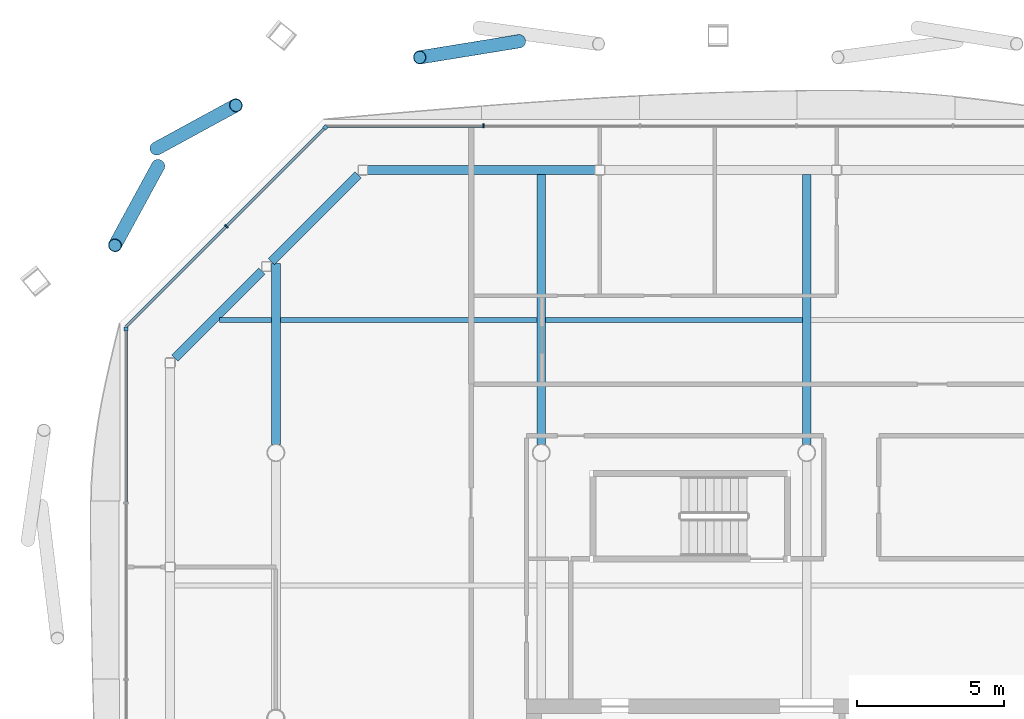
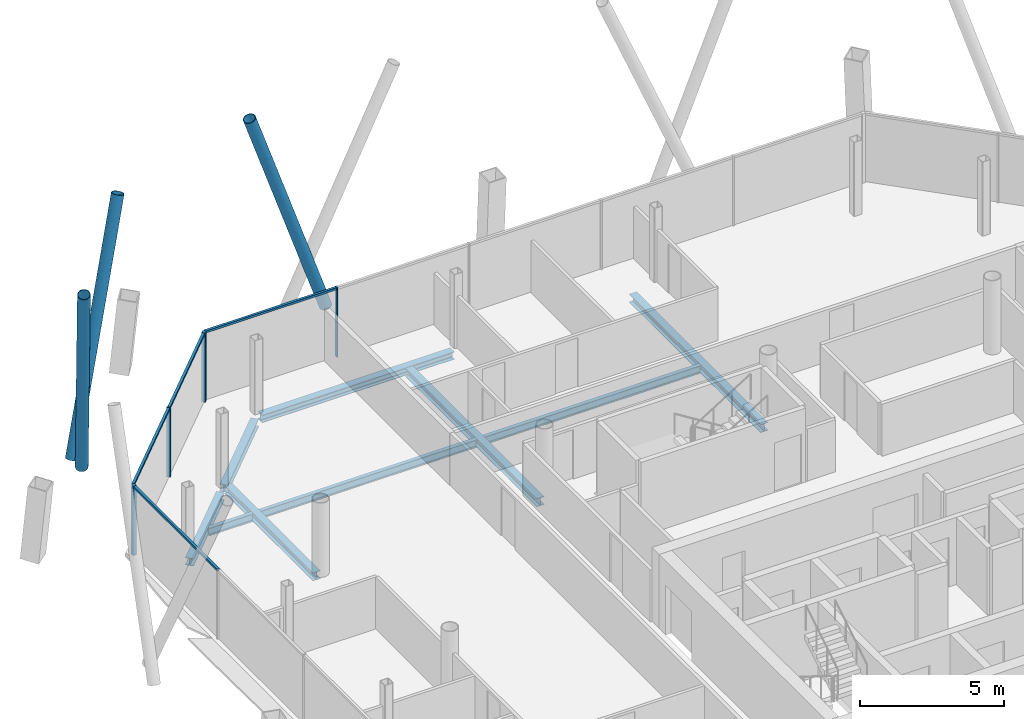
# One storey, part 9 of 19: 11 members, 9 beams, 3 elements without a shape of their own.
"""IFC4 building model written with IfcOpenShell, lengths in metres."""

from ifc_helpers import new_model, si_unit, direction, frame, origin, origin_2d, place, context, subcontext, project, spatial, rectangle, hollow_circle, i_section, extrude, material, material_profile, profile_set, type_object, element, aggregate, save


model = new_model("IFC4")

# Units and contexts
model_context = context("Model", 3, precision=1e-05, world=origin(), true_north=direction((0.0, 1.0)))
body_context = subcontext(model_context, "Body", "Model", "MODEL_VIEW")
ifc_project = project(units=[si_unit("LENGTHUNIT", "METRE"), si_unit("AREAUNIT", "SQUARE_METRE"), si_unit("VOLUMEUNIT", "CUBIC_METRE"), si_unit("PLANEANGLEUNIT", "RADIAN"), si_unit("MASSUNIT", "GRAM", prefix="KILO")], contexts=[model_context])

# Site, building, storey
site_placement = place(None, origin())
site = spatial("IfcSite", under=ifc_project, at=site_placement, CompositionType="ELEMENT")
building_placement = place(site_placement, origin())
building = spatial("IfcBuilding", under=site, at=building_placement, Name="Tskaro Facet Tower", CompositionType="ELEMENT")
storey_placement = place(building_placement, frame((0.0, 0.0, 191.10009765625)))
storey = spatial("IfcBuildingStorey", under=building, at=storey_placement, Name="L48", CompositionType="ELEMENT", Elevation=191.10009765625)

# Members
ifc_material_1 = material(Name="Steel S355J2H", Category="steel")
ifc_material_profile_1 = material_profile(ifc_material_1, hollow_circle(Radius=0.228515625, WallThickness=0.02001953125, at=origin_2d()), Name="CHS 457x20")
ifc_profile_set_1 = profile_set([ifc_material_profile_1], Name="Steel S355J2H")
member_type_1 = type_object("IfcMemberType", Name="CHS 457x20 brace", PredefinedType="BRACE", material=ifc_profile_set_1)
member_1_placement = place(storey_placement, frame((-9.74853515625, 22.951904296875, 0.0), z_axis=(-0.33577356224, -0.054492446285, 0.940365188743), x_axis=(0.160193408806, -0.987085645613, 0.0)))
element("IfcMember", 1, at=member_1_placement, inside=storey, type_object=member_type_1, Name="CHS 457x20 XB08A/4", PredefinedType="BRACE", context=body_context, shape_type="SweptSolid", body=[
    extrude(hollow_circle(Radius=0.228515625, WallThickness=0.02001953125, at=origin_2d()), origin(), (0.0, 0.0, 1.0), 10.04931640625),
])
for number, where, z_axis, x_axis, name in (
    (2, (-21.989013671875, 18.724853515625, 0.0), (-0.147656195683, -0.271206761816, 0.951128035662), (0.878269358294, -0.478166220349, 0.0), "CHS 457x20 XB09A/4"),
    (3, (-22.048095703125, 19.31201171875, 0.0), (0.27122854255, 0.147679248118, 0.951118245741), (-0.478194179613, 0.878254135535, 0.0), "CHS 457x20 XB09B/4"),
):
    element("IfcMember", number, at=place(storey_placement, frame(where, z_axis=z_axis, x_axis=x_axis)), inside=storey, type_object=member_type_1, Name=name, PredefinedType="BRACE", context=body_context, shape_type="SweptSolid", body=[
        extrude(hollow_circle(Radius=0.228515625, WallThickness=0.02001953125, at=origin_2d()), origin(), (0.0, 0.0, 1.0), 9.935546875),
    ])

# Curtain wall, member
ifc_material_2 = material(Name="Bronze anodised aluminium 6063-T6", Category="aluminium")
curtain_wall_type = type_object("IfcCurtainWallType", Name="Bronze residence curtain wall (FW3)", PredefinedType="NOTDEFINED", material=ifc_material_2)
curtain_wall_1_placement = place(storey_placement, origin())
curtain_wall_1 = element("IfcCurtainWall", 4, at=curtain_wall_1_placement, inside=storey, type_object=curtain_wall_type, Name="FW3 north-west facet L48", PredefinedType="NOTDEFINED")
ifc_material_profile_2 = material_profile(ifc_material_2, rectangle(XDim=0.139892578125, YDim=0.139892578125, at=origin_2d()), Name="Corner post 140x140")
ifc_profile_set_2 = profile_set([ifc_material_profile_2], Name="Bronze anodised aluminium 6063-T6")
member_type_2 = type_object("IfcMemberType", Name="FW3 bronze corner post 140x140", PredefinedType="MULLION", material=ifc_profile_set_2)
member_2_placement = place(storey_placement, frame((-16.319580078125, 20.030517578125, 0.0), z_axis=(0.0, 0.0, 1.0), x_axis=(-0.707106781187, -0.707106781187, 0.0)))
member_2 = element("IfcMember", 5, at=member_2_placement, type_object=member_type_2, Name="FW3 north-west corner post", PredefinedType="MULLION", context=body_context, shape_type="SweptSolid", body=[
    extrude(rectangle(XDim=0.139892578125, YDim=0.139892578125, at=origin_2d()), origin(), (0.0, 0.0, 1.0), 2.949951171875),
])

curtain_wall_2_placement = place(storey_placement, origin())
curtain_wall_2 = element("IfcCurtainWall", 6, at=curtain_wall_2_placement, inside=storey, type_object=curtain_wall_type, Name="FW3 west facet L48", PredefinedType="NOTDEFINED")
member_3_placement = place(storey_placement, frame((-23.080078125, 13.199951171875, 0.0), z_axis=(0.0, 0.0, 1.0), x_axis=(0.0, -1.0, 0.0)))
member_3 = element("IfcMember", 7, at=member_3_placement, type_object=member_type_2, Name="FW3 west corner post", PredefinedType="MULLION", context=body_context, shape_type="SweptSolid", body=[
    extrude(rectangle(XDim=0.139892578125, YDim=0.139892578125, at=origin_2d()), origin(), (0.0, 0.0, 1.0), 2.949951171875),
])

curtain_wall_3_placement = place(storey_placement, origin())
curtain_wall_3 = element("IfcCurtainWall", 8, at=curtain_wall_3_placement, inside=storey, type_object=curtain_wall_type, Name="FW3 north facet L48", PredefinedType="NOTDEFINED")
ifc_material_profile_3 = material_profile(ifc_material_2, rectangle(XDim=0.050048828125, YDim=0.139892578125, at=origin_2d()), Name="Mullion 50x140")
ifc_profile_set_3 = profile_set([ifc_material_profile_3], Name="Bronze anodised aluminium 6063-T6")
member_type_3 = type_object("IfcMemberType", Name="FW3 bronze mullion 50x140", PredefinedType="MULLION", material=ifc_profile_set_3)
member_4_placement = place(storey_placement, frame((-10.9619140625, 20.080078125, 0.0), z_axis=(0.0, 0.0, 1.0), x_axis=(-1.0, 0.0, 0.0)))
member_4 = element("IfcMember", 9, at=member_4_placement, type_object=member_type_3, Name="FW3 north mullion 4", PredefinedType="MULLION", context=body_context, shape_type="SweptSolid", body=[
    extrude(rectangle(XDim=0.050048828125, YDim=0.139892578125, at=origin_2d()), origin(), (0.0, 0.0, 1.0), 2.949951171875),
])

# Member
member_5_placement = place(storey_placement, frame((-19.675048828125, 16.675048828125, 0.0), z_axis=(0.0, 0.0, 1.0), x_axis=(-0.707106781187, -0.707106781187, 0.0)))
member_5 = element("IfcMember", 10, at=member_5_placement, type_object=member_type_3, Name="FW3 north-west mullion 1", PredefinedType="MULLION", context=body_context, shape_type="SweptSolid", body=[
    extrude(rectangle(XDim=0.050048828125, YDim=0.139892578125, at=origin_2d()), origin(), (0.0, 0.0, 1.0), 2.949951171875),
])

ifc_material_profile_4 = material_profile(ifc_material_2, rectangle(XDim=0.10009765625, YDim=0.090087890625, at=origin_2d()), Name="Transom 100x90")
ifc_profile_set_4 = profile_set([ifc_material_profile_4], Name="Bronze anodised aluminium 6063-T6")
member_type_4 = type_object("IfcMemberType", Name="FW3 bronze transom 100x90", PredefinedType="USERDEFINED", material=ifc_profile_set_4)
member_6_placement = place(storey_placement, frame((-10.987060546875, 20.080078125, 2.90478515625), z_axis=(-1.0, 0.0, 0.0), x_axis=(0.0, -1.0, 0.0)))
member_6 = element("IfcMember", 11, at=member_6_placement, type_object=member_type_4, Name="FW3 north transom 5.1", ObjectType="TRANSOM", PredefinedType="USERDEFINED", context=body_context, shape_type="SweptSolid", body=[
    extrude(rectangle(XDim=0.10009765625, YDim=0.090087890625, at=origin_2d()), origin(), (0.0, 0.0, 1.0), 5.282958984375),
])

aggregate(curtain_wall_3, [member_4, member_6])

member_7_placement = place(storey_placement, frame((-16.368896484375, 19.98095703125, 2.90478515625), z_axis=(-0.707106781187, -0.707106781187, 0.0), x_axis=(0.707106781187, -0.707106781187, 0.0)))
member_7 = element("IfcMember", 12, at=member_7_placement, type_object=member_type_4, Name="FW3 north-west transom 1.1", ObjectType="TRANSOM", PredefinedType="USERDEFINED", context=body_context, shape_type="SweptSolid", body=[
    extrude(rectangle(XDim=0.10009765625, YDim=0.090087890625, at=origin_2d()), origin(), (0.0, 0.0, 1.0), 4.650390625),
])

member_8_placement = place(storey_placement, frame((-19.692626953125, 16.6572265625, 2.90478515625), z_axis=(-0.707132262971, -0.707081298484, 0.0), x_axis=(0.707081298484, -0.707132262971, 0.0)))
member_8 = element("IfcMember", 13, at=member_8_placement, type_object=member_type_4, Name="FW3 north-west transom 2.1", ObjectType="TRANSOM", PredefinedType="USERDEFINED", context=body_context, shape_type="SweptSolid", body=[
    extrude(rectangle(XDim=0.10009765625, YDim=0.090087890625, at=origin_2d()), origin(), (0.0, 0.0, 1.0), 4.79052734375),
])

aggregate(curtain_wall_1, [member_2, member_5, member_7, member_8])

member_9_placement = place(storey_placement, frame((-23.080078125, 13.1298828125, 2.90478515625), z_axis=(0.0, -1.0, 0.0), x_axis=(1.0, 0.0, 0.0)))
member_9 = element("IfcMember", 14, at=member_9_placement, type_object=member_type_4, Name="FW3 west transom 1.1", ObjectType="TRANSOM", PredefinedType="USERDEFINED", context=body_context, shape_type="SweptSolid", body=[
    extrude(rectangle(XDim=0.10009765625, YDim=0.090087890625, at=origin_2d()), origin(), (0.0, 0.0, 1.0), 5.8125),
])

aggregate(curtain_wall_2, [member_3, member_9])

# Beams
ifc_material_3 = material(Name="Steel S355J2", Category="steel")
ifc_material_profile_5 = material_profile(ifc_material_3, i_section(OverallWidth=0.300048828125, OverallDepth=0.320068359375, WebThickness=0.011474609375, FlangeThickness=0.0205078125, FilletRadius=0.027099609375, at=origin_2d()), Name="HE 320 B")
ifc_profile_set_5 = profile_set([ifc_material_profile_5], Name="Steel S355J2")
beam_type_1 = type_object("IfcBeamType", Name="HE 320 B ring beam", PredefinedType="BEAM", material=ifc_profile_set_5)
beam_1_placement = place(storey_placement, frame((-7.169921875, 18.5830078125, -0.300048828125), z_axis=(-1.0, 0.0, 0.0), x_axis=(0.0, -1.0, 0.0)))
element("IfcBeam", 15, at=beam_1_placement, inside=storey, type_object=beam_type_1, Name="HE 320 B EB14-4", PredefinedType="BEAM", context=body_context, shape_type="SweptSolid", body=[
    extrude(i_section(OverallWidth=0.300048828125, OverallDepth=0.320068359375, WebThickness=0.011474609375, FlangeThickness=0.0205078125, FilletRadius=0.027099609375, at=origin_2d()), origin(), (0.0, 0.0, 1.0), 7.72119140625),
])
for number, where, z_axis, x_axis, name in (
    (16, (-15.206787109375, 18.422119140625, -0.300048828125), (-0.706989603829, -0.70722393913, 0.0), (0.70722393913, -0.706989603829, 0.0), "HE 320 B EB15-4"),
    (17, (-18.474853515625, 15.153076171875, -0.300048828125), (-0.70722393913, -0.706989603829, 0.0), (0.706989603829, -0.70722393913, 0.0), "HE 320 B EB16-4"),
):
    element("IfcBeam", number, at=place(storey_placement, frame(where, z_axis=z_axis, x_axis=x_axis)), inside=storey, type_object=beam_type_1, Name=name, PredefinedType="BEAM", context=body_context, shape_type="SweptSolid", body=[
        extrude(i_section(OverallWidth=0.300048828125, OverallDepth=0.320068359375, WebThickness=0.011474609375, FlangeThickness=0.0205078125, FilletRadius=0.027099609375, at=origin_2d()), origin(), (0.0, 0.0, 1.0), 4.16748046875),
    ])
ifc_material_profile_6 = material_profile(ifc_material_3, i_section(OverallWidth=0.300048828125, OverallDepth=0.35009765625, WebThickness=0.010009765625, FlangeThickness=0.017578125, FilletRadius=0.027099609375, at=origin_2d()), Name="HE 360 A")
ifc_profile_set_6 = profile_set([ifc_material_profile_6], Name="Steel S355J2")
beam_type_2 = type_object("IfcBeamType", Name="HE 360 A girder", PredefinedType="BEAM", material=ifc_profile_set_6)
beam_2_placement = place(storey_placement, frame((-18.0, 9.27490234375, -0.315185546875), z_axis=(0.0, 1.0, 0.0), x_axis=(-1.0, 0.0, 0.0)))
element("IfcBeam", 18, at=beam_2_placement, inside=storey, type_object=beam_type_2, Name="HE 360 A GB2-4-4", PredefinedType="BEAM", context=body_context, shape_type="SweptSolid", body=[
    extrude(i_section(OverallWidth=0.300048828125, OverallDepth=0.35009765625, WebThickness=0.010009765625, FlangeThickness=0.017578125, FilletRadius=0.027099609375, at=origin_2d()), origin(), (0.0, 0.0, 1.0), 6.14208984375),
])
for number, where, z_axis, x_axis, name in (
    (19, (-9.0, 9.27490234375, -0.315185546875), (0.0, 1.0, 0.0), (-1.0, 0.0, 0.0), "HE 360 A GB3-3-4"),
    (20, (0.0, 9.27490234375, -0.315185546875), (0.0, 1.0, 0.0), (-1.0, 0.0, 0.0), "HE 360 A GB4-3-4"),
):
    element("IfcBeam", number, at=place(storey_placement, frame(where, z_axis=z_axis, x_axis=x_axis)), inside=storey, type_object=beam_type_2, Name=name, PredefinedType="BEAM", context=body_context, shape_type="SweptSolid", body=[
        extrude(i_section(OverallWidth=0.300048828125, OverallDepth=0.35009765625, WebThickness=0.010009765625, FlangeThickness=0.017578125, FilletRadius=0.027099609375, at=origin_2d()), origin(), (0.0, 0.0, 1.0), 9.158203125),
    ])
ifc_material_profile_7 = material_profile(ifc_material_3, i_section(OverallWidth=0.159912109375, OverallDepth=0.330078125, WebThickness=0.007568359375, FlangeThickness=0.011474609375, FilletRadius=0.01806640625, at=origin_2d()), Name="IPE 330")
ifc_profile_set_7 = profile_set([ifc_material_profile_7], Name="Steel S355J2")
beam_type_3 = type_object("IfcBeamType", Name="IPE 330 secondary beam", PredefinedType="BEAM", material=ifc_profile_set_7)
beam_3_placement = place(storey_placement, frame((-19.9169921875, 13.5, -0.30517578125), z_axis=(1.0, 0.0, 0.0), x_axis=(0.0, 1.0, 0.0)))
element("IfcBeam", 21, at=beam_3_placement, inside=storey, type_object=beam_type_3, Name="IPE 330 SB5a-1-4", PredefinedType="BEAM", context=body_context, shape_type="SweptSolid", body=[
    extrude(i_section(OverallWidth=0.159912109375, OverallDepth=0.330078125, WebThickness=0.007568359375, FlangeThickness=0.011474609375, FilletRadius=0.01806640625, at=origin_2d()), origin(), (0.0, 0.0, 1.0), 1.76708984375),
])
for number, where, z_axis, x_axis, name in (
    (22, (-17.85009765625, 13.5, -0.30517578125), (1.0, 0.0, 0.0), (0.0, 1.0, 0.0), "IPE 330 SB5a-2-4"),
    (23, (-8.85009765625, 13.5, -0.30517578125), (1.0, 0.0, 0.0), (0.0, 1.0, 0.0), "IPE 330 SB5a-3-4"),
):
    element("IfcBeam", number, at=place(storey_placement, frame(where, z_axis=z_axis, x_axis=x_axis)), inside=storey, type_object=beam_type_3, Name=name, PredefinedType="BEAM", context=body_context, shape_type="SweptSolid", body=[
        extrude(i_section(OverallWidth=0.159912109375, OverallDepth=0.330078125, WebThickness=0.007568359375, FlangeThickness=0.011474609375, FilletRadius=0.01806640625, at=origin_2d()), origin(), (0.0, 0.0, 1.0), 8.7001953125),
    ])

save(model, "model.ifc")
